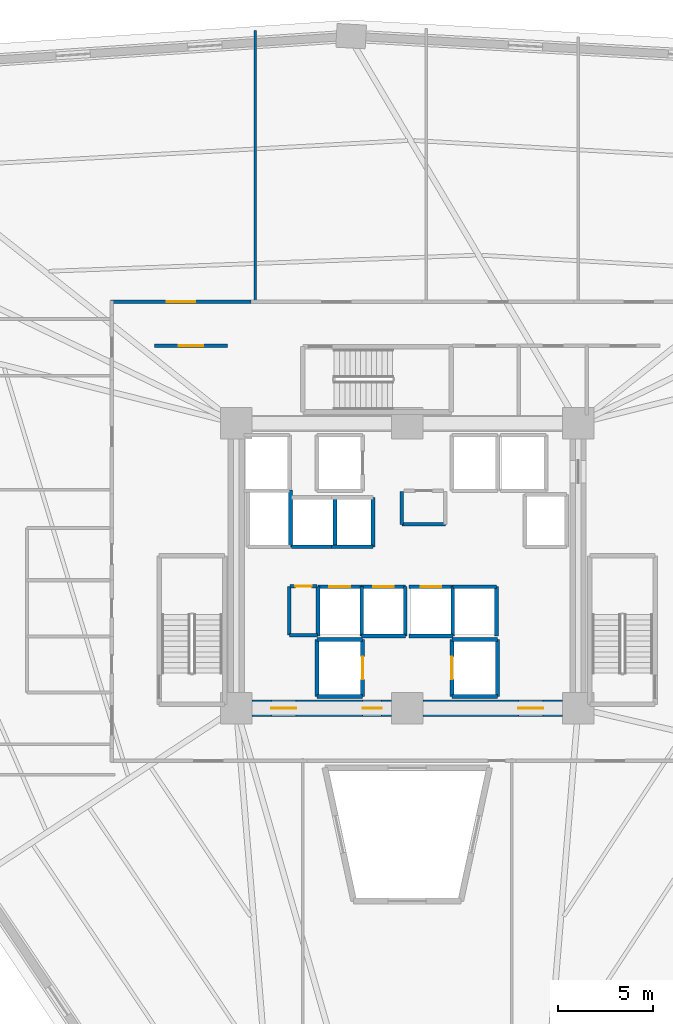
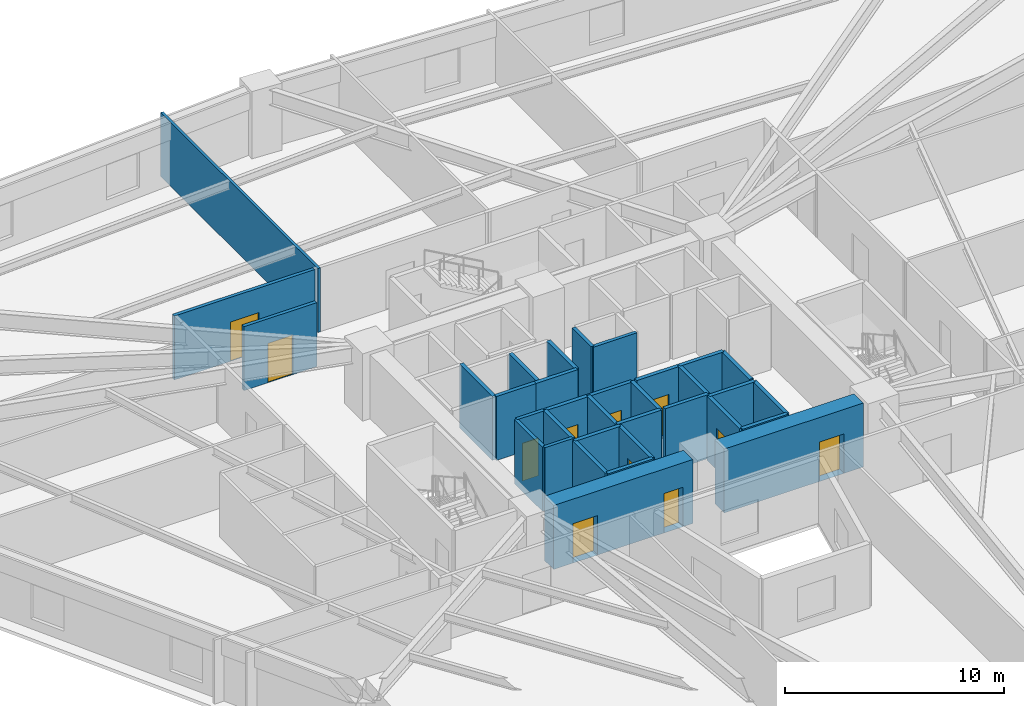
# One storey, part 5 of 9: 34 walls, 11 doors, 11 openings.
"""IFC4 building model written with IfcOpenShell, lengths in metres."""

from ifc_helpers import new_model, si_unit, direction, frame, frame_2d, origin, place, context, subcontext, project, spatial, rectangle, extrude, source, transform, mapped, material, layer, layer_set, type_object, element, fill, save


model = new_model("IFC4")

# Units and contexts
model_context = context("Model", 3, precision=1e-05, world=origin(), true_north=direction((0.0, 1.0)))
body_context = subcontext(model_context, "Body", "Model", "MODEL_VIEW")
ifc_project = project(units=[si_unit("LENGTHUNIT", "METRE"), si_unit("AREAUNIT", "SQUARE_METRE"), si_unit("VOLUMEUNIT", "CUBIC_METRE"), si_unit("PLANEANGLEUNIT", "RADIAN"), si_unit("MASSUNIT", "GRAM", prefix="KILO")], contexts=[model_context])

# Site, building, storey
site_placement = place(None, origin())
site = spatial("IfcSite", under=ifc_project, at=site_placement, CompositionType="ELEMENT")
building_placement = place(site_placement, origin())
building = spatial("IfcBuilding", under=site, at=building_placement, Name="Liaohun Quay Tower", CompositionType="ELEMENT")
storey_placement = place(building_placement, frame((0.0, 0.0, 59.25)))
storey = spatial("IfcBuildingStorey", under=building, at=storey_placement, Name="L15", CompositionType="ELEMENT", Elevation=59.25)

# Wall, opening, door
ifc_material_1 = material(Name="Concrete C60", Category="concrete")
ifc_layer_1 = layer(ifc_material_1, 0.85009765625, Name="Concrete C60", Category="concrete")
ifc_layer_set_1 = layer_set([ifc_layer_1], Name="Concrete C60")
wall_type_1 = type_object("IfcWallType", Name="WAL-COR-Z1", PredefinedType="SHEAR", material=ifc_layer_set_1)
wall_1_placement = place(storey_placement, frame((68.175048828125, 46.5, 0.0), z_axis=(0.0, 0.0, 1.0), x_axis=(-1.0, 0.0, 0.0)))
wall_1 = element("IfcWall", 1, at=wall_1_placement, inside=storey, type_object=wall_type_1, Name="L15 Central Core Shear Wall S-E", PredefinedType="SHEAR", context=body_context, shape_type="SweptSolid", body=[
    extrude(rectangle(XDim=7.35009765625, YDim=0.85009765625, at=frame_2d((3.675048828125, 0.0))), origin(), (0.0, 0.0, 1.0), 3.570068359375),
])
shared_shape_1 = source(origin(), body_context, "Body", "SweptSolid", [
    extrude(rectangle(XDim=1.300048828125, YDim=2.199951171875, at=frame_2d((0.64990234375, 1.10009765625))), frame((0.0, 0.43505859375, 0.0), z_axis=(0.0, -1.0, 0.0), x_axis=(1.0, 0.0, 0.0)), (0.0, 0.0, 1.0), 0.8701171875),
])
opening_1_placement = place(wall_1_placement, frame((1.02490234375, 0.0, 0.0)))
opening_1 = element("IfcOpeningElement", 2, at=opening_1_placement, cuts=wall_1, Name="Opening FD1", PredefinedType="OPENING", context=body_context, shape_type="MappedRepresentation", body=[
    mapped(shared_shape_1, transform((0.0, 0.0, 0.0), x_axis=(1.0, 0.0, 0.0), y_axis=(0.0, 1.0, 0.0), z_axis=(0.0, 0.0, 1.0), scale=1.0)),
])
ifc_material_2 = material(Name="Galvanised steel smokeproof fire door", Category="steel")
door_type_1 = type_object("IfcDoorType", Name="DOR-FFL-1300", OperationType="NOTDEFINED", PredefinedType="DOOR", material=ifc_material_2)
shared_shape_2 = source(origin(), body_context, "Body", "SweptSolid", [
    extrude(rectangle(XDim=1.300048828125, YDim=2.199951171875, at=frame_2d((0.64990234375, 1.10009765625))), frame((0.0, 0.02490234375, 0.0), z_axis=(0.0, -1.0, 0.0), x_axis=(1.0, 0.0, 0.0)), (0.0, 0.0, 1.0), 0.050048828125),
])
door_1_placement = place(opening_1_placement, origin())
door_1 = element("IfcDoor", 3, at=door_1_placement, inside=storey, type_object=door_type_1, Name="L15 East Core Lift Lobby Smokeproof Door", OperationType="SINGLE_SWING_LEFT", OverallHeight=2.199951171875, OverallWidth=1.300048828125, PredefinedType="DOOR", context=body_context, shape_type="MappedRepresentation", body=[
    mapped(shared_shape_2, transform((0.0, 0.0, 0.0), x_axis=(1.0, 0.0, 0.0), y_axis=(0.0, 1.0, 0.0), z_axis=(0.0, 0.0, 1.0), scale=1.0)),
])
fill(opening_1, door_1)

# Wall, openings, doors
wall_2_placement = place(storey_placement, frame((59.175048828125, 46.5, 0.0), z_axis=(0.0, 0.0, 1.0), x_axis=(-1.0, 0.0, 0.0)))
wall_2 = element("IfcWall", 4, at=wall_2_placement, inside=storey, type_object=wall_type_1, Name="L15 Central Core Shear Wall S-W", PredefinedType="SHEAR", context=body_context, shape_type="SweptSolid", body=[
    extrude(rectangle(XDim=7.35009765625, YDim=0.85009765625, at=frame_2d((3.675048828125, 0.0))), origin(), (0.0, 0.0, 1.0), 3.570068359375),
])
opening_2_placement = place(wall_2_placement, frame((5.02490234375, 0.0, 0.0)))
opening_2 = element("IfcOpeningElement", 5, at=opening_2_placement, cuts=wall_2, Name="Opening FD1", PredefinedType="OPENING", context=body_context, shape_type="MappedRepresentation", body=[
    mapped(shared_shape_1, transform((0.0, 0.0, 0.0), x_axis=(1.0, 0.0, 0.0), y_axis=(0.0, 1.0, 0.0), z_axis=(0.0, 0.0, 1.0), scale=1.0)),
])
shared_shape_3 = source(origin(), body_context, "Body", "SweptSolid", [
    extrude(rectangle(XDim=1.0, YDim=2.199951171875, at=frame_2d((0.5, 1.10009765625))), frame((0.0, 0.43505859375, 0.0), z_axis=(0.0, -1.0, 0.0), x_axis=(1.0, 0.0, 0.0)), (0.0, 0.0, 1.0), 0.8701171875),
])
opening_3_placement = place(wall_2_placement, frame((0.52490234375, 0.0, 0.0)))
opening_3 = element("IfcOpeningElement", 6, at=opening_3_placement, cuts=wall_2, Name="Opening FD2", PredefinedType="OPENING", context=body_context, shape_type="MappedRepresentation", body=[
    mapped(shared_shape_3, transform((0.0, 0.0, 0.0), x_axis=(1.0, 0.0, 0.0), y_axis=(0.0, 1.0, 0.0), z_axis=(0.0, 0.0, 1.0), scale=1.0)),
])
door_2_placement = place(opening_2_placement, origin())
door_2 = element("IfcDoor", 7, at=door_2_placement, inside=storey, type_object=door_type_1, Name="L15 West Core Lift Lobby Smokeproof Door", OperationType="SINGLE_SWING_RIGHT", OverallHeight=2.199951171875, OverallWidth=1.300048828125, PredefinedType="DOOR", context=body_context, shape_type="MappedRepresentation", body=[
    mapped(shared_shape_2, transform((0.0, 0.0, 0.0), x_axis=(1.0, 0.0, 0.0), y_axis=(0.0, 1.0, 0.0), z_axis=(0.0, 0.0, 1.0), scale=1.0)),
])
fill(opening_2, door_2)
ifc_material_3 = material(Name="Galvanised steel smokeproof lobby fire door", Category="steel")
door_type_2 = type_object("IfcDoorType", Name="DOR-FFL-1000", OperationType="NOTDEFINED", PredefinedType="DOOR", material=ifc_material_3)
shared_shape_4 = source(origin(), body_context, "Body", "SweptSolid", [
    extrude(rectangle(XDim=1.0, YDim=2.199951171875, at=frame_2d((0.5, 1.10009765625))), frame((0.0, 0.02490234375, 0.0), z_axis=(0.0, -1.0, 0.0), x_axis=(1.0, 0.0, 0.0)), (0.0, 0.0, 1.0), 0.050048828125),
])
door_3_placement = place(opening_3_placement, origin())
door_3 = element("IfcDoor", 8, at=door_3_placement, inside=storey, type_object=door_type_2, Name="L15 South Firefighting Lobby Smokeproof Door", OperationType="SINGLE_SWING_LEFT", OverallHeight=2.199951171875, OverallWidth=1.0, PredefinedType="DOOR", context=body_context, shape_type="MappedRepresentation", body=[
    mapped(shared_shape_4, transform((0.0, 0.0, 0.0), x_axis=(1.0, 0.0, 0.0), y_axis=(0.0, 1.0, 0.0), z_axis=(0.0, 0.0, 1.0), scale=1.0)),
])
fill(opening_3, door_3)

# Wall, opening, door
ifc_material_4 = material(Name="Autoclaved aerated concrete blockwork", Category="masonry")
ifc_layer_2 = layer(ifc_material_4, 0.179931640625, Name="Autoclaved aerated concrete blockwork", Category="masonry")
ifc_layer_set_2 = layer_set([ifc_layer_2], Name="Autoclaved aerated concrete blockwork")
wall_type_2 = type_object("IfcWallType", Name="WAL-PRT-COR", PredefinedType="PARTITIONING", material=ifc_layer_set_2)
wall_3_placement = place(storey_placement, frame((53.820068359375, 52.919921875, 0.0), z_axis=(0.0, 0.0, 1.0), x_axis=(1.0, 0.0, 0.0)))
wall_3 = element("IfcWall", 9, at=wall_3_placement, inside=storey, type_object=wall_type_2, Name="L15 Interior Partition Wall 002", PredefinedType="PARTITIONING", context=body_context, shape_type="SweptSolid", body=[
    extrude(rectangle(XDim=1.429931640625, YDim=0.179931640625, at=frame_2d((0.71484375, 0.0))), origin(), (0.0, 0.0, 1.0), 3.570068359375),
])
shared_shape_5 = source(origin(), body_context, "Body", "SweptSolid", [
    extrude(rectangle(XDim=0.85009765625, YDim=2.10009765625, at=frame_2d((0.425048828125, 1.050048828125))), frame((0.0, 0.099853515625, 0.0), z_axis=(0.0, -1.0, 0.0), x_axis=(1.0, 0.0, 0.0)), (0.0, 0.0, 1.0), 0.199951171875),
])
opening_4_placement = place(wall_3_placement, frame((0.2900390625, 0.0, 0.0)))
opening_4 = element("IfcOpeningElement", 10, at=opening_4_placement, cuts=wall_3, Name="Opening AD1", PredefinedType="OPENING", context=body_context, shape_type="MappedRepresentation", body=[
    mapped(shared_shape_5, transform((0.0, 0.0, 0.0), x_axis=(1.0, 0.0, 0.0), y_axis=(0.0, 1.0, 0.0), z_axis=(0.0, 0.0, 1.0), scale=1.0)),
])
ifc_material_5 = material(Name="Steel riser inspection fire door", Category="steel")
door_type_3 = type_object("IfcDoorType", Name="DOR-SHF-850", OperationType="NOTDEFINED", PredefinedType="DOOR", material=ifc_material_5)
shared_shape_6 = source(origin(), body_context, "Body", "SweptSolid", [
    extrude(rectangle(XDim=0.85009765625, YDim=2.10009765625, at=frame_2d((0.425048828125, 1.050048828125))), frame((0.0, 0.02490234375, 0.0), z_axis=(0.0, -1.0, 0.0), x_axis=(1.0, 0.0, 0.0)), (0.0, 0.0, 1.0), 0.050048828125),
])
door_4_placement = place(opening_4_placement, origin())
door_4 = element("IfcDoor", 11, at=door_4_placement, inside=storey, type_object=door_type_3, Name="L15 Mechanical Smoke Duct Room Door", OperationType="SINGLE_SWING_LEFT", OverallHeight=2.10009765625, OverallWidth=0.85009765625, PredefinedType="DOOR", context=body_context, shape_type="MappedRepresentation", body=[
    mapped(shared_shape_6, transform((0.0, 0.0, 0.0), x_axis=(1.0, 0.0, 0.0), y_axis=(0.0, 1.0, 0.0), z_axis=(0.0, 0.0, 1.0), scale=1.0)),
])
fill(opening_4, door_4)

wall_4_placement = place(storey_placement, frame((46.699951171875, 65.580078125, 0.0), z_axis=(0.0, 0.0, 1.0), x_axis=(1.0, 0.0, 0.0)))
wall_4 = element("IfcWall", 12, at=wall_4_placement, inside=storey, type_object=wall_type_2, Name="L15 Interior Partition Wall 008", PredefinedType="PARTITIONING", context=body_context, shape_type="SweptSolid", body=[
    extrude(rectangle(XDim=3.840087890625, YDim=0.179931640625, at=frame_2d((1.919921875, 0.0))), origin(), (0.0, 0.0, 1.0), 3.570068359375),
])
shared_shape_7 = source(origin(), body_context, "Body", "SweptSolid", [
    extrude(rectangle(XDim=1.300048828125, YDim=2.199951171875, at=frame_2d((0.64990234375, 1.10009765625))), frame((0.0, 0.099853515625, 0.0), z_axis=(0.0, -1.0, 0.0), x_axis=(1.0, 0.0, 0.0)), (0.0, 0.0, 1.0), 0.199951171875),
])
opening_5_placement = place(wall_4_placement, frame((1.27001953125, 0.0, 0.0)))
opening_5 = element("IfcOpeningElement", 13, at=opening_5_placement, cuts=wall_4, Name="Opening FD1", PredefinedType="OPENING", context=body_context, shape_type="MappedRepresentation", body=[
    mapped(shared_shape_7, transform((0.0, 0.0, 0.0), x_axis=(1.0, 0.0, 0.0), y_axis=(0.0, 1.0, 0.0), z_axis=(0.0, 0.0, 1.0), scale=1.0)),
])
door_5_placement = place(opening_5_placement, origin())
door_5 = element("IfcDoor", 14, at=door_5_placement, inside=storey, type_object=door_type_1, Name="L15 West Core Vestibule Door", OperationType="SINGLE_SWING_LEFT", OverallHeight=2.199951171875, OverallWidth=1.300048828125, PredefinedType="DOOR", context=body_context, shape_type="MappedRepresentation", body=[
    mapped(shared_shape_2, transform((0.0, 0.0, 0.0), x_axis=(1.0, 0.0, 0.0), y_axis=(0.0, 1.0, 0.0), z_axis=(0.0, 0.0, 1.0), scale=1.0)),
])
fill(opening_5, door_5)

wall_5_placement = place(storey_placement, frame((44.3701171875, 67.909912109375, 0.0), z_axis=(0.0, 0.0, 1.0), x_axis=(1.0, 0.0, 0.0)))
wall_5 = element("IfcWall", 15, at=wall_5_placement, inside=storey, type_object=wall_type_2, Name="L15 Interior Partition Wall 015", PredefinedType="PARTITIONING", context=body_context, shape_type="SweptSolid", body=[
    extrude(rectangle(XDim=7.414794921875, YDim=0.179931640625, at=frame_2d((3.70751953125, 0.0))), origin(), (0.0, 0.0, 1.0), 3.570068359375),
])
shared_shape_8 = source(origin(), body_context, "Body", "SweptSolid", [
    extrude(rectangle(XDim=1.5, YDim=2.199951171875, at=frame_2d((0.75, 1.10009765625))), frame((0.0, 0.099853515625, 0.0), z_axis=(0.0, -1.0, 0.0), x_axis=(1.0, 0.0, 0.0)), (0.0, 0.0, 1.0), 0.199951171875),
])
opening_6_placement = place(wall_5_placement, frame((2.95703125, 0.0, 0.0)))
opening_6 = element("IfcOpeningElement", 16, at=opening_6_placement, cuts=wall_5, Name="Opening OD2", PredefinedType="OPENING", context=body_context, shape_type="MappedRepresentation", body=[
    mapped(shared_shape_8, transform((0.0, 0.0, 0.0), x_axis=(1.0, 0.0, 0.0), y_axis=(0.0, 1.0, 0.0), z_axis=(0.0, 0.0, 1.0), scale=1.0)),
])
ifc_material_6 = material(Name="Acoustic oak veneer double door")
door_type_4 = type_object("IfcDoorType", Name="DOR-OFF-1500", OperationType="DOUBLE_DOOR_SINGLE_SWING", PredefinedType="DOOR", material=ifc_material_6)
shared_shape_9 = source(origin(), body_context, "Body", "SweptSolid", [
    extrude(rectangle(XDim=1.5, YDim=2.199951171875, at=frame_2d((0.75, 1.10009765625))), frame((0.0, 0.02490234375, 0.0), z_axis=(0.0, -1.0, 0.0), x_axis=(1.0, 0.0, 0.0)), (0.0, 0.0, 1.0), 0.050048828125),
])
door_6_placement = place(opening_6_placement, origin())
door_6 = element("IfcDoor", 17, at=door_6_placement, inside=storey, type_object=door_type_4, Name="L15 Staff Tea Kitchen and Pantry 06 Door", OperationType="DOUBLE_DOOR_SINGLE_SWING", OverallHeight=2.199951171875, OverallWidth=1.5, PredefinedType="DOOR", context=body_context, shape_type="MappedRepresentation", body=[
    mapped(shared_shape_9, transform((0.0, 0.0, 0.0), x_axis=(1.0, 0.0, 0.0), y_axis=(0.0, 1.0, 0.0), z_axis=(0.0, 0.0, 1.0), scale=1.0)),
])
fill(opening_6, door_6)

# Walls
wall_6_placement = place(storey_placement, frame((59.719970703125, 56.179931640625, 0.0), z_axis=(0.0, 0.0, 1.0), x_axis=(0.0, 1.0, 0.0)))
element("IfcWall", 18, at=wall_6_placement, inside=storey, type_object=wall_type_2, Name="L15 Interior Partition Wall 024", PredefinedType="PARTITIONING", context=body_context, shape_type="SweptSolid", body=[
    extrude(rectangle(XDim=1.739990234375, YDim=0.179931640625, at=frame_2d((0.8701171875, 0.0))), origin(), (0.0, 0.0, 1.0), 3.570068359375),
])
wall_7_placement = place(storey_placement, frame((59.719970703125, 56.179931640625, 0.0), z_axis=(0.0, 0.0, 1.0), x_axis=(1.0, 0.0, 0.0)))
element("IfcWall", 19, at=wall_7_placement, inside=storey, type_object=wall_type_2, Name="L15 Interior Partition Wall 026", PredefinedType="PARTITIONING", context=body_context, shape_type="SweptSolid", body=[
    extrude(rectangle(XDim=2.2900390625, YDim=0.179931640625, at=frame_2d((1.14501953125, 0.0))), origin(), (0.0, 0.0, 1.0), 3.570068359375),
])
wall_8_placement = place(storey_placement, frame((53.7900390625, 50.35009765625, 0.0), z_axis=(0.0, 0.0, 1.0), x_axis=(0.0, 1.0, 0.0)))
element("IfcWall", 20, at=wall_8_placement, inside=storey, type_object=wall_type_2, Name="L15 Interior Partition Wall 027", PredefinedType="PARTITIONING", context=body_context, shape_type="SweptSolid", body=[
    extrude(rectangle(XDim=2.56982421875, YDim=0.179931640625, at=frame_2d((1.284912109375, 0.0))), origin(), (0.0, 0.0, 1.0), 3.570068359375),
])
wall_9_placement = place(storey_placement, frame((53.7900390625, 50.35009765625, 0.0), z_axis=(0.0, 0.0, 1.0), x_axis=(1.0, 0.0, 0.0)))
element("IfcWall", 21, at=wall_9_placement, inside=storey, type_object=wall_type_2, Name="L15 Interior Partition Wall 028", PredefinedType="PARTITIONING", context=body_context, shape_type="SweptSolid", body=[
    extrude(rectangle(XDim=1.489990234375, YDim=0.179931640625, at=frame_2d((0.7451171875, 0.0))), origin(), (0.0, 0.0, 1.0), 3.570068359375),
])
ifc_material_7 = material(Name="Gypsum board on twin steel studs", Category="steel")
ifc_layer_3 = layer(ifc_material_7, 0.139892578125, Name="Gypsum board on twin steel studs", Category="steel")
ifc_layer_set_3 = layer_set([ifc_layer_3], Name="Gypsum board on twin steel studs")
wall_type_3 = type_object("IfcWallType", Name="WAL-PRT-OFF", PredefinedType="PARTITIONING", material=ifc_layer_set_3)
wall_10_placement = place(storey_placement, frame((52.0, 67.81005859375, 0.0), z_axis=(0.0, 0.0, 1.0), x_axis=(0.0, 1.0, 0.0)))
element("IfcWall", 22, at=wall_10_placement, inside=storey, type_object=wall_type_3, Name="L15 Interior Partition Wall 051", PredefinedType="PARTITIONING", context=body_context, shape_type="SweptSolid", body=[
    extrude(rectangle(XDim=14.373046875, YDim=0.139892578125, at=frame_2d((7.1865234375, 0.0))), origin(), (0.0, 0.0, 1.0), 3.570068359375),
])
ifc_material_8 = material(Name="Concrete C50", Category="concrete")
ifc_layer_4 = layer(ifc_material_8, 0.239990234375, Name="Concrete C50", Category="concrete")
ifc_layer_set_4 = layer_set([ifc_layer_4], Name="Concrete C50")
wall_type_4 = type_object("IfcWallType", Name="WAL-SHF-200", PredefinedType="SOLIDWALL", material=ifc_layer_set_4)
wall_11_placement = place(storey_placement, frame((55.25, 47.1201171875, 0.0), z_axis=(0.0, 0.0, 1.0), x_axis=(1.0, 0.0, 0.0)))
element("IfcWall", 23, at=wall_11_placement, inside=storey, type_object=wall_type_4, Name="L15 Lift FF-01 Hoistway Wall S", PredefinedType="SOLIDWALL", context=body_context, shape_type="SweptSolid", body=[
    extrude(rectangle(XDim=2.39990234375, YDim=0.199951171875, at=frame_2d((1.199951171875, 0.0))), origin(), (0.0, 0.0, 1.0), 3.570068359375),
])

# Wall, opening, door
wall_12_placement = place(storey_placement, frame((57.64990234375, 47.1201171875, 0.0), z_axis=(0.0, 0.0, 1.0), x_axis=(0.0, 1.0, 0.0)))
wall_12 = element("IfcWall", 24, at=wall_12_placement, inside=storey, type_object=wall_type_4, Name="L15 Lift FF-01 Hoistway Wall E", PredefinedType="SOLIDWALL", context=body_context, shape_type="SweptSolid", body=[
    extrude(rectangle(XDim=3.0, YDim=0.199951171875, at=frame_2d((1.5, 0.0))), origin(), (0.0, 0.0, 1.0), 3.570068359375),
])
shared_shape_10 = source(origin(), body_context, "Body", "SweptSolid", [
    extrude(rectangle(XDim=1.199951171875, YDim=2.300048828125, at=frame_2d((0.60009765625, 1.14990234375))), frame((0.0, 0.10986328125, 0.0), z_axis=(0.0, -1.0, 0.0), x_axis=(1.0, 0.0, 0.0)), (0.0, 0.0, 1.0), 0.219970703125),
])
opening_7_placement = place(wall_12_placement, frame((0.89990234375, 0.0, 0.0)))
opening_7 = element("IfcOpeningElement", 25, at=opening_7_placement, cuts=wall_12, Name="Opening LD2", PredefinedType="OPENING", context=body_context, shape_type="MappedRepresentation", body=[
    mapped(shared_shape_10, transform((0.0, 0.0, 0.0), x_axis=(1.0, 0.0, 0.0), y_axis=(0.0, 1.0, 0.0), z_axis=(0.0, 0.0, 1.0), scale=1.0)),
])
ifc_material_9 = material(Name="Brushed stainless steel stretcher landing door", Category="steel")
door_type_5 = type_object("IfcDoorType", Name="DOR-LFT-1200", OperationType="SLIDING_TO_LEFT", PredefinedType="DOOR", material=ifc_material_9)
shared_shape_11 = source(origin(), body_context, "Body", "SweptSolid", [
    extrude(rectangle(XDim=1.199951171875, YDim=2.300048828125, at=frame_2d((0.60009765625, 1.14990234375))), frame((0.0, 0.02490234375, 0.0), z_axis=(0.0, -1.0, 0.0), x_axis=(1.0, 0.0, 0.0)), (0.0, 0.0, 1.0), 0.050048828125),
])
door_7_placement = place(opening_7_placement, origin())
door_7 = element("IfcDoor", 26, at=door_7_placement, inside=storey, type_object=door_type_5, Name="L15 Lift FF-01 Sliding Landing Door", OperationType="SLIDING_TO_LEFT", OverallHeight=2.300048828125, OverallWidth=1.199951171875, PredefinedType="DOOR", context=body_context, shape_type="MappedRepresentation", body=[
    mapped(shared_shape_11, transform((0.0, 0.0, 0.0), x_axis=(1.0, 0.0, 0.0), y_axis=(0.0, 1.0, 0.0), z_axis=(0.0, 0.0, 1.0), scale=1.0)),
])
fill(opening_7, door_7)

# Walls
wall_13_placement = place(storey_placement, frame((57.64990234375, 50.1201171875, 0.0), z_axis=(0.0, 0.0, 1.0), x_axis=(-1.0, 0.0, 0.0)))
element("IfcWall", 27, at=wall_13_placement, inside=storey, type_object=wall_type_4, Name="L15 Lift FF-01 Hoistway Wall N", PredefinedType="SOLIDWALL", context=body_context, shape_type="SweptSolid", body=[
    extrude(rectangle(XDim=2.39990234375, YDim=0.199951171875, at=frame_2d((1.199951171875, 0.0))), origin(), (0.0, 0.0, 1.0), 3.570068359375),
])
wall_14_placement = place(storey_placement, frame((55.25, 50.1201171875, 0.0), z_axis=(0.0, 0.0, 1.0), x_axis=(0.0, -1.0, 0.0)))
element("IfcWall", 28, at=wall_14_placement, inside=storey, type_object=wall_type_4, Name="L15 Lift FF-01 Hoistway Wall W", PredefinedType="SOLIDWALL", context=body_context, shape_type="SweptSolid", body=[
    extrude(rectangle(XDim=3.0, YDim=0.199951171875, at=frame_2d((1.5, 0.0))), origin(), (0.0, 0.0, 1.0), 3.570068359375),
])
wall_15_placement = place(storey_placement, frame((62.35009765625, 47.1201171875, 0.0), z_axis=(0.0, 0.0, 1.0), x_axis=(1.0, 0.0, 0.0)))
element("IfcWall", 29, at=wall_15_placement, inside=storey, type_object=wall_type_4, Name="L15 Lift FF-02 Hoistway Wall S", PredefinedType="SOLIDWALL", context=body_context, shape_type="SweptSolid", body=[
    extrude(rectangle(XDim=2.39990234375, YDim=0.199951171875, at=frame_2d((1.199951171875, 0.0))), origin(), (0.0, 0.0, 1.0), 3.570068359375),
])
wall_16_placement = place(storey_placement, frame((64.75, 47.1201171875, 0.0), z_axis=(0.0, 0.0, 1.0), x_axis=(0.0, 1.0, 0.0)))
element("IfcWall", 30, at=wall_16_placement, inside=storey, type_object=wall_type_4, Name="L15 Lift FF-02 Hoistway Wall E", PredefinedType="SOLIDWALL", context=body_context, shape_type="SweptSolid", body=[
    extrude(rectangle(XDim=3.0, YDim=0.199951171875, at=frame_2d((1.5, 0.0))), origin(), (0.0, 0.0, 1.0), 3.570068359375),
])
wall_17_placement = place(storey_placement, frame((64.75, 50.1201171875, 0.0), z_axis=(0.0, 0.0, 1.0), x_axis=(-1.0, 0.0, 0.0)))
element("IfcWall", 31, at=wall_17_placement, inside=storey, type_object=wall_type_4, Name="L15 Lift FF-02 Hoistway Wall N", PredefinedType="SOLIDWALL", context=body_context, shape_type="SweptSolid", body=[
    extrude(rectangle(XDim=2.39990234375, YDim=0.199951171875, at=frame_2d((1.199951171875, 0.0))), origin(), (0.0, 0.0, 1.0), 3.570068359375),
])

# Wall, opening, door
wall_18_placement = place(storey_placement, frame((62.35009765625, 50.1201171875, 0.0), z_axis=(0.0, 0.0, 1.0), x_axis=(0.0, -1.0, 0.0)))
wall_18 = element("IfcWall", 32, at=wall_18_placement, inside=storey, type_object=wall_type_4, Name="L15 Lift FF-02 Hoistway Wall W", PredefinedType="SOLIDWALL", context=body_context, shape_type="SweptSolid", body=[
    extrude(rectangle(XDim=3.0, YDim=0.199951171875, at=frame_2d((1.5, 0.0))), origin(), (0.0, 0.0, 1.0), 3.570068359375),
])
opening_8_placement = place(wall_18_placement, frame((0.89990234375, 0.0, 0.0)))
opening_8 = element("IfcOpeningElement", 33, at=opening_8_placement, cuts=wall_18, Name="Opening LD2", PredefinedType="OPENING", context=body_context, shape_type="MappedRepresentation", body=[
    mapped(shared_shape_10, transform((0.0, 0.0, 0.0), x_axis=(1.0, 0.0, 0.0), y_axis=(0.0, 1.0, 0.0), z_axis=(0.0, 0.0, 1.0), scale=1.0)),
])
door_8_placement = place(opening_8_placement, origin())
door_8 = element("IfcDoor", 34, at=door_8_placement, inside=storey, type_object=door_type_5, Name="L15 Lift FF-02 Sliding Landing Door", OperationType="SLIDING_TO_LEFT", OverallHeight=2.300048828125, OverallWidth=1.199951171875, PredefinedType="DOOR", context=body_context, shape_type="MappedRepresentation", body=[
    mapped(shared_shape_11, transform((0.0, 0.0, 0.0), x_axis=(1.0, 0.0, 0.0), y_axis=(0.0, 1.0, 0.0), z_axis=(0.0, 0.0, 1.0), scale=1.0)),
])
fill(opening_8, door_8)

# Walls
wall_19_placement = place(storey_placement, frame((53.85009765625, 55.0, 0.0), z_axis=(0.0, 0.0, 1.0), x_axis=(0.0, 1.0, 0.0)))
element("IfcWall", 35, at=wall_19_placement, inside=storey, type_object=wall_type_4, Name="L15 Lift SH-02 Hoistway Wall E", PredefinedType="SOLIDWALL", context=body_context, shape_type="SweptSolid", body=[
    extrude(rectangle(XDim=3.0, YDim=0.199951171875, at=frame_2d((1.5, 0.0))), origin(), (0.0, 0.0, 1.0), 3.570068359375),
])
wall_20_placement = place(storey_placement, frame((57.60009765625, 50.300048828125, 0.0), z_axis=(0.0, 0.0, 1.0), x_axis=(0.0, 1.0, 0.0)))
element("IfcWall", 36, at=wall_20_placement, inside=storey, type_object=wall_type_4, Name="L15 Lift PL-1A Hoistway Wall E", PredefinedType="SOLIDWALL", context=body_context, shape_type="SweptSolid", body=[
    extrude(rectangle(XDim=2.599853515625, YDim=0.199951171875, at=frame_2d((1.2998046875, 0.0))), origin(), (0.0, 0.0, 1.0), 3.570068359375),
])

# Wall, opening, door
wall_21_placement = place(storey_placement, frame((57.60009765625, 52.89990234375, 0.0), z_axis=(0.0, 0.0, 1.0), x_axis=(-1.0, 0.0, 0.0)))
wall_21 = element("IfcWall", 37, at=wall_21_placement, inside=storey, type_object=wall_type_4, Name="L15 Lift PL-1A Hoistway Wall N", PredefinedType="SOLIDWALL", context=body_context, shape_type="SweptSolid", body=[
    extrude(rectangle(XDim=2.300048828125, YDim=0.199951171875, at=frame_2d((1.14990234375, 0.0))), origin(), (0.0, 0.0, 1.0), 3.570068359375),
])
shared_shape_12 = source(origin(), body_context, "Body", "SweptSolid", [
    extrude(rectangle(XDim=1.10009765625, YDim=2.199951171875, at=frame_2d((0.550048828125, 1.10009765625))), frame((0.0, 0.10986328125, 0.0), z_axis=(0.0, -1.0, 0.0), x_axis=(1.0, 0.0, 0.0)), (0.0, 0.0, 1.0), 0.219970703125),
])
opening_9_placement = place(wall_21_placement, frame((0.60009765625, 0.0, 0.0)))
opening_9 = element("IfcOpeningElement", 38, at=opening_9_placement, cuts=wall_21, Name="Opening LD1", PredefinedType="OPENING", context=body_context, shape_type="MappedRepresentation", body=[
    mapped(shared_shape_12, transform((0.0, 0.0, 0.0), x_axis=(1.0, 0.0, 0.0), y_axis=(0.0, 1.0, 0.0), z_axis=(0.0, 0.0, 1.0), scale=1.0)),
])
ifc_material_10 = material(Name="Brushed stainless steel landing door", Category="steel")
door_type_6 = type_object("IfcDoorType", Name="DOR-LFT-1100", OperationType="SLIDING_TO_LEFT", PredefinedType="DOOR", material=ifc_material_10)
shared_shape_13 = source(origin(), body_context, "Body", "SweptSolid", [
    extrude(rectangle(XDim=1.10009765625, YDim=2.199951171875, at=frame_2d((0.550048828125, 1.10009765625))), frame((0.0, 0.02490234375, 0.0), z_axis=(0.0, -1.0, 0.0), x_axis=(1.0, 0.0, 0.0)), (0.0, 0.0, 1.0), 0.050048828125),
])
door_9_placement = place(opening_9_placement, origin())
door_9 = element("IfcDoor", 39, at=door_9_placement, inside=storey, type_object=door_type_6, Name="L15 Lift PL-1A Sliding Landing Door", OperationType="SLIDING_TO_LEFT", OverallHeight=2.199951171875, OverallWidth=1.10009765625, PredefinedType="DOOR", context=body_context, shape_type="MappedRepresentation", body=[
    mapped(shared_shape_13, transform((0.0, 0.0, 0.0), x_axis=(1.0, 0.0, 0.0), y_axis=(0.0, 1.0, 0.0), z_axis=(0.0, 0.0, 1.0), scale=1.0)),
])
fill(opening_9, door_9)

# Walls
wall_22_placement = place(storey_placement, frame((55.300048828125, 52.89990234375, 0.0), z_axis=(0.0, 0.0, 1.0), x_axis=(0.0, -1.0, 0.0)))
element("IfcWall", 40, at=wall_22_placement, inside=storey, type_object=wall_type_4, Name="L15 Lift PL-1A Hoistway Wall W", PredefinedType="SOLIDWALL", context=body_context, shape_type="SweptSolid", body=[
    extrude(rectangle(XDim=2.599853515625, YDim=0.199951171875, at=frame_2d((1.2998046875, 0.0))), origin(), (0.0, 0.0, 1.0), 3.570068359375),
])
wall_23_placement = place(storey_placement, frame((57.60009765625, 50.300048828125, 0.0), z_axis=(0.0, 0.0, 1.0), x_axis=(1.0, 0.0, 0.0)))
element("IfcWall", 41, at=wall_23_placement, inside=storey, type_object=wall_type_4, Name="L15 Lift PL-1B Hoistway Wall S", PredefinedType="SOLIDWALL", context=body_context, shape_type="SweptSolid", body=[
    extrude(rectangle(XDim=2.2998046875, YDim=0.199951171875, at=frame_2d((1.14990234375, 0.0))), origin(), (0.0, 0.0, 1.0), 3.570068359375),
])
wall_24_placement = place(storey_placement, frame((59.89990234375, 50.300048828125, 0.0), z_axis=(0.0, 0.0, 1.0), x_axis=(0.0, 1.0, 0.0)))
element("IfcWall", 42, at=wall_24_placement, inside=storey, type_object=wall_type_4, Name="L15 Lift PL-1B Hoistway Wall E", PredefinedType="SOLIDWALL", context=body_context, shape_type="SweptSolid", body=[
    extrude(rectangle(XDim=2.599853515625, YDim=0.199951171875, at=frame_2d((1.2998046875, 0.0))), origin(), (0.0, 0.0, 1.0), 3.570068359375),
])

# Wall, opening, door
wall_25_placement = place(storey_placement, frame((59.89990234375, 52.89990234375, 0.0), z_axis=(0.0, 0.0, 1.0), x_axis=(-1.0, 0.0, 0.0)))
wall_25 = element("IfcWall", 43, at=wall_25_placement, inside=storey, type_object=wall_type_4, Name="L15 Lift PL-1B Hoistway Wall N", PredefinedType="SOLIDWALL", context=body_context, shape_type="SweptSolid", body=[
    extrude(rectangle(XDim=2.2998046875, YDim=0.199951171875, at=frame_2d((1.14990234375, 0.0))), origin(), (0.0, 0.0, 1.0), 3.570068359375),
])
opening_10_placement = place(wall_25_placement, frame((0.60009765625, 0.0, 0.0)))
opening_10 = element("IfcOpeningElement", 44, at=opening_10_placement, cuts=wall_25, Name="Opening LD1", PredefinedType="OPENING", context=body_context, shape_type="MappedRepresentation", body=[
    mapped(shared_shape_12, transform((0.0, 0.0, 0.0), x_axis=(1.0, 0.0, 0.0), y_axis=(0.0, 1.0, 0.0), z_axis=(0.0, 0.0, 1.0), scale=1.0)),
])
door_10_placement = place(opening_10_placement, origin())
door_10 = element("IfcDoor", 45, at=door_10_placement, inside=storey, type_object=door_type_6, Name="L15 Lift PL-1B Sliding Landing Door", OperationType="SLIDING_TO_LEFT", OverallHeight=2.199951171875, OverallWidth=1.10009765625, PredefinedType="DOOR", context=body_context, shape_type="MappedRepresentation", body=[
    mapped(shared_shape_13, transform((0.0, 0.0, 0.0), x_axis=(1.0, 0.0, 0.0), y_axis=(0.0, 1.0, 0.0), z_axis=(0.0, 0.0, 1.0), scale=1.0)),
])
fill(opening_10, door_10)

# Walls
wall_26_placement = place(storey_placement, frame((60.10009765625, 50.300048828125, 0.0), z_axis=(0.0, 0.0, 1.0), x_axis=(1.0, 0.0, 0.0)))
element("IfcWall", 46, at=wall_26_placement, inside=storey, type_object=wall_type_4, Name="L15 Lift PL-1C Hoistway Wall S", PredefinedType="SOLIDWALL", context=body_context, shape_type="SweptSolid", body=[
    extrude(rectangle(XDim=2.2998046875, YDim=0.199951171875, at=frame_2d((1.14990234375, 0.0))), origin(), (0.0, 0.0, 1.0), 3.570068359375),
])
wall_27_placement = place(storey_placement, frame((62.39990234375, 50.300048828125, 0.0), z_axis=(0.0, 0.0, 1.0), x_axis=(0.0, 1.0, 0.0)))
element("IfcWall", 47, at=wall_27_placement, inside=storey, type_object=wall_type_4, Name="L15 Lift PL-1C Hoistway Wall E", PredefinedType="SOLIDWALL", context=body_context, shape_type="SweptSolid", body=[
    extrude(rectangle(XDim=2.599853515625, YDim=0.199951171875, at=frame_2d((1.2998046875, 0.0))), origin(), (0.0, 0.0, 1.0), 3.570068359375),
])

# Wall, opening, door
wall_28_placement = place(storey_placement, frame((62.39990234375, 52.89990234375, 0.0), z_axis=(0.0, 0.0, 1.0), x_axis=(-1.0, 0.0, 0.0)))
wall_28 = element("IfcWall", 48, at=wall_28_placement, inside=storey, type_object=wall_type_4, Name="L15 Lift PL-1C Hoistway Wall N", PredefinedType="SOLIDWALL", context=body_context, shape_type="SweptSolid", body=[
    extrude(rectangle(XDim=2.2998046875, YDim=0.199951171875, at=frame_2d((1.14990234375, 0.0))), origin(), (0.0, 0.0, 1.0), 3.570068359375),
])
opening_11_placement = place(wall_28_placement, frame((0.60009765625, 0.0, 0.0)))
opening_11 = element("IfcOpeningElement", 49, at=opening_11_placement, cuts=wall_28, Name="Opening LD1", PredefinedType="OPENING", context=body_context, shape_type="MappedRepresentation", body=[
    mapped(shared_shape_12, transform((0.0, 0.0, 0.0), x_axis=(1.0, 0.0, 0.0), y_axis=(0.0, 1.0, 0.0), z_axis=(0.0, 0.0, 1.0), scale=1.0)),
])
door_11_placement = place(opening_11_placement, origin())
door_11 = element("IfcDoor", 50, at=door_11_placement, inside=storey, type_object=door_type_6, Name="L15 Lift PL-1C Sliding Landing Door", OperationType="SLIDING_TO_LEFT", OverallHeight=2.199951171875, OverallWidth=1.10009765625, PredefinedType="DOOR", context=body_context, shape_type="MappedRepresentation", body=[
    mapped(shared_shape_13, transform((0.0, 0.0, 0.0), x_axis=(1.0, 0.0, 0.0), y_axis=(0.0, 1.0, 0.0), z_axis=(0.0, 0.0, 1.0), scale=1.0)),
])
fill(opening_11, door_11)

# Walls
wall_29_placement = place(storey_placement, frame((64.699951171875, 50.300048828125, 0.0), z_axis=(0.0, 0.0, 1.0), x_axis=(0.0, 1.0, 0.0)))
element("IfcWall", 51, at=wall_29_placement, inside=storey, type_object=wall_type_4, Name="L15 Lift PL-2A Hoistway Wall E", PredefinedType="SOLIDWALL", context=body_context, shape_type="SweptSolid", body=[
    extrude(rectangle(XDim=2.599853515625, YDim=0.199951171875, at=frame_2d((1.2998046875, 0.0))), origin(), (0.0, 0.0, 1.0), 3.570068359375),
])
for number, where, z_axis, x_axis, name in (
    (52, (64.699951171875, 52.89990234375, 0.0), (0.0, 0.0, 1.0), (-1.0, 0.0, 0.0), "L15 Lift PL-2A Hoistway Wall N"),
    (53, (53.89990234375, 55.0, 0.0), (0.0, 0.0, 1.0), (1.0, 0.0, 0.0), "L15 Lift PL-2B Hoistway Wall S"),
):
    element("IfcWall", number, at=place(storey_placement, frame(where, z_axis=z_axis, x_axis=x_axis)), inside=storey, type_object=wall_type_4, Name=name, PredefinedType="SOLIDWALL", context=body_context, shape_type="SweptSolid", body=[
        extrude(rectangle(XDim=2.300048828125, YDim=0.199951171875, at=frame_2d((1.14990234375, 0.0))), origin(), (0.0, 0.0, 1.0), 3.570068359375),
    ])
wall_30_placement = place(storey_placement, frame((56.199951171875, 55.0, 0.0), z_axis=(0.0, 0.0, 1.0), x_axis=(0.0, 1.0, 0.0)))
element("IfcWall", 54, at=wall_30_placement, inside=storey, type_object=wall_type_4, Name="L15 Lift PL-2B Hoistway Wall E", PredefinedType="SOLIDWALL", context=body_context, shape_type="SweptSolid", body=[
    extrude(rectangle(XDim=2.60009765625, YDim=0.199951171875, at=frame_2d((1.300048828125, 0.0))), origin(), (0.0, 0.0, 1.0), 3.570068359375),
])
wall_31_placement = place(storey_placement, frame((56.0, 55.0, 0.0), z_axis=(0.0, 0.0, 1.0), x_axis=(1.0, 0.0, 0.0)))
element("IfcWall", 55, at=wall_31_placement, inside=storey, type_object=wall_type_4, Name="L15 Lift PL-2C Hoistway Wall S", PredefinedType="SOLIDWALL", context=body_context, shape_type="SweptSolid", body=[
    extrude(rectangle(XDim=2.199951171875, YDim=0.199951171875, at=frame_2d((1.10009765625, 0.0))), origin(), (0.0, 0.0, 1.0), 3.570068359375),
])
wall_32_placement = place(storey_placement, frame((58.199951171875, 55.0, 0.0), z_axis=(0.0, 0.0, 1.0), x_axis=(0.0, 1.0, 0.0)))
element("IfcWall", 56, at=wall_32_placement, inside=storey, type_object=wall_type_4, Name="L15 Lift PL-2C Hoistway Wall E", PredefinedType="SOLIDWALL", context=body_context, shape_type="SweptSolid", body=[
    extrude(rectangle(XDim=2.60009765625, YDim=0.199951171875, at=frame_2d((1.300048828125, 0.0))), origin(), (0.0, 0.0, 1.0), 3.570068359375),
])

save(model, "model.ifc")
